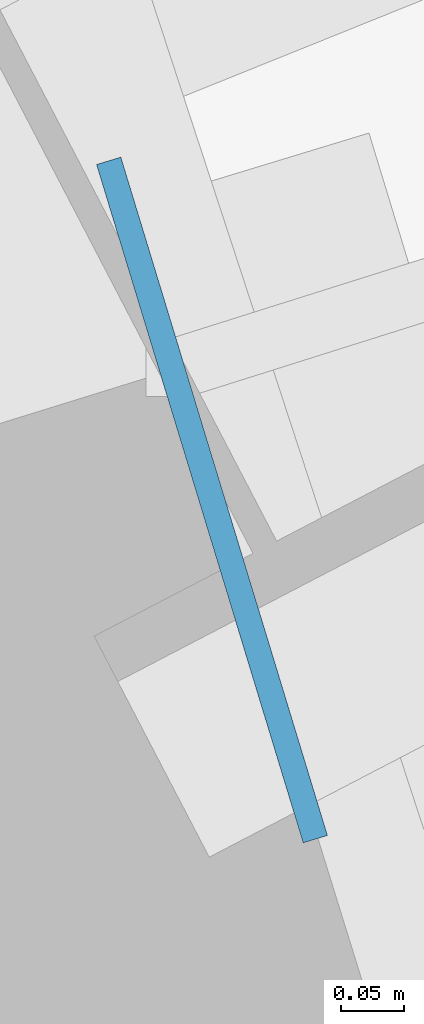
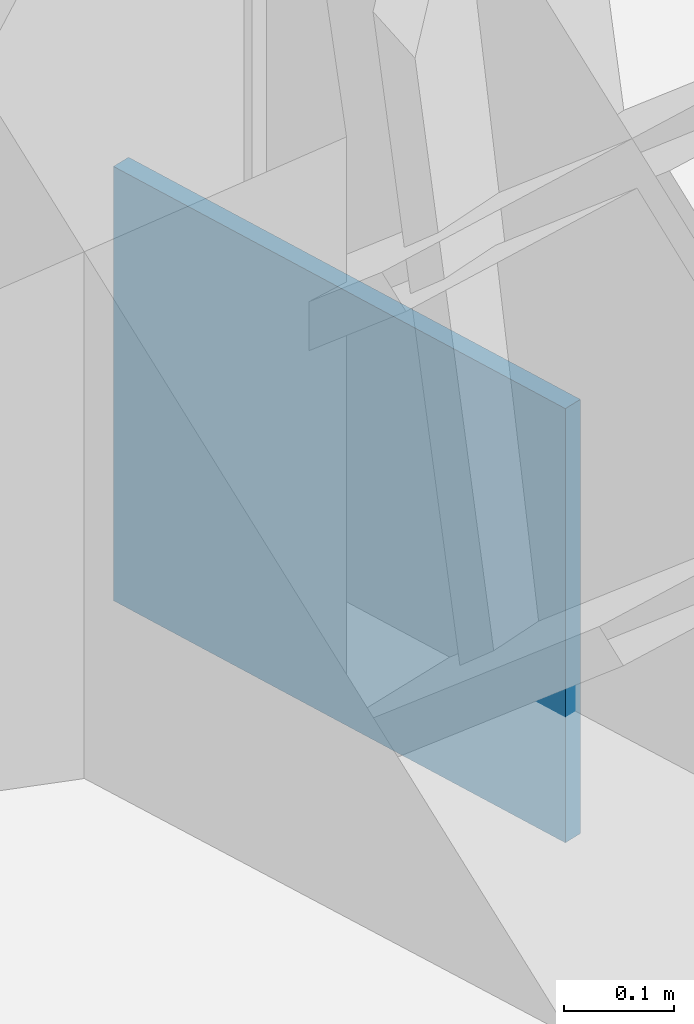
# One storey, part 13 of 21: 1 plate.
"""IFC4 building model written with IfcOpenShell, lengths in metres."""

import ifcopenshell
import ifcopenshell.guid

model = None  # the IFC model being written
_history = None  # IfcOwnerHistory: only IFC2X3 demands one
_inside = {}  # id of a spatial element -> (the spatial element, [elements in it])
_under = {}  # id of a project, library or spatial element -> (it, [spatial elements below it])
_declared = {}  # id of a project -> (the project, [libraries it declares])
_typed = {}  # id of a type object -> (the type object, [elements of that type])
_made_of = {}  # id of a material, layer set ... -> (it, [elements and type objects made of it])


def new_model(schema):
    """Start an empty IFC model of exactly this schema.

    Asked for "IFC4X3", IfcOpenShell would pick the latest addendum, in which some entities
    have other attributes; the version numbers below select the first issue.
    IFC2X3 requires an IfcOwnerHistory on every rooted entity: one is made here for all.
    """
    global model, _history
    if schema == "IFC4X3":
        model = ifcopenshell.file(schema_version=(4, 3, 0, 0))
    else:
        model = ifcopenshell.file(schema=schema)
    _inside.clear()
    _under.clear()
    _declared.clear()
    _typed.clear()
    _made_of.clear()
    _history = None
    if model.schema == "IFC2X3":
        org = make("IfcOrganization", Name="unknown")
        user = make(
            "IfcPersonAndOrganization",
            ThePerson=make("IfcPerson", FamilyName="unknown"),
            TheOrganization=org,
        )
        app = make(
            "IfcApplication",
            ApplicationDeveloper=org,
            Version="unknown",
            ApplicationFullName="unknown",
            ApplicationIdentifier="unknown",
        )
        _history = make(
            "IfcOwnerHistory",
            OwningUser=user,
            OwningApplication=app,
            ChangeAction="ADDED",
            CreationDate=0,
        )
    return model


def make(cls, **values):
    """One entity of the class cls with the attributes given. An attribute that is None is left unset."""
    return model.create_entity(
        cls, **{name: value for name, value in values.items() if value is not None}
    )


def rooted(cls, **values):
    """An entity with a GlobalId (a new one), such as an element, a storey or a relation."""
    return make(cls, GlobalId=ifcopenshell.guid.new(), OwnerHistory=_history, **values)


def si_unit(unit_type, name, prefix=None):
    """IfcSIUnit, for example si_unit("LENGTHUNIT", "METRE", prefix="MILLI")."""
    return make("IfcSIUnit", UnitType=unit_type, Prefix=prefix, Name=name)


def assignment(units):
    """IfcUnitAssignment: the units of a project."""
    return None if units is None else make("IfcUnitAssignment", Units=units)


def point(xyz):
    """IfcCartesianPoint."""
    return None if xyz is None else make("IfcCartesianPoint", Coordinates=xyz)


def direction(xyz):
    """IfcDirection."""
    return None if xyz is None else make("IfcDirection", DirectionRatios=xyz)


def frame(location, z_axis=None, x_axis=None):
    """IfcAxis2Placement3D, a coordinate frame: its origin and axes. An axis left out is left unset."""
    return make(
        "IfcAxis2Placement3D",
        Location=point(location),
        Axis=direction(z_axis),
        RefDirection=direction(x_axis),
    )


def frame_2d(location, x_axis=None):
    """IfcAxis2Placement2D, a coordinate frame in the plane: its origin and x axis."""
    return make(
        "IfcAxis2Placement2D", Location=point(location), RefDirection=direction(x_axis)
    )


def origin():
    """The frame at (0, 0, 0) with its axes left unset."""
    return frame((0.0, 0.0, 0.0))


def origin_2d():
    """The frame at (0, 0) in the plane with its x axis left unset."""
    return frame_2d((0.0, 0.0))


def place(relative_to, where):
    """IfcLocalPlacement: puts the frame where relative to a parent placement (None: the world)."""
    return make(
        "IfcLocalPlacement", PlacementRelTo=relative_to, RelativePlacement=where
    )


def context(
    kind, dimensions, precision=None, world=None, true_north=None, identifier=None
):
    """IfcGeometricRepresentationContext, for example the 3D "Model" context."""
    return make(
        "IfcGeometricRepresentationContext",
        ContextIdentifier=identifier,
        ContextType=kind,
        CoordinateSpaceDimension=dimensions,
        Precision=precision,
        WorldCoordinateSystem=world,
        TrueNorth=true_north,
    )


def subcontext(parent, identifier, kind, view, scale=None):
    """IfcGeometricRepresentationSubContext, for example "Body" below "Model"."""
    return make(
        "IfcGeometricRepresentationSubContext",
        ContextIdentifier=identifier,
        ContextType=kind,
        ParentContext=parent,
        TargetScale=scale,
        TargetView=view,
    )


def project(units=None, contexts=None):
    """IfcProject with its units and contexts."""
    return rooted(
        "IfcProject",
        Name="project",
        RepresentationContexts=contexts,
        UnitsInContext=assignment(units),
    )


def spatial(cls, under=None, at=None, **own):
    """A site, building, storey or space (cls), placed at a placement, below another one or the project."""
    s = rooted(cls, ObjectPlacement=at, **own)
    if under is not None:
        _under.setdefault(under.id(), (under, []))[1].append(s)
    return s


def profile(cls, at=None, kind="AREA", **sizes):
    """A parametric profile (cls). Its sizes go by their IFC names, for example OverallWidth=200.0."""
    return make(cls, ProfileType=kind, Position=at, **sizes)


def rectangle(**sizes):
    """IfcRectangleProfileDef."""
    return profile("IfcRectangleProfileDef", **sizes)


def extrude(swept, where, along, depth):
    """IfcExtrudedAreaSolid: the profile swept, set in the frame where, extruded along a direction by depth."""
    return make(
        "IfcExtrudedAreaSolid",
        SweptArea=swept,
        Position=where,
        ExtrudedDirection=direction(along),
        Depth=depth,
    )


def shape(context_of_items, identifier, shape_type, items):
    """IfcShapeRepresentation: the items that make up one representation, for example the "Body"."""
    return make(
        "IfcShapeRepresentation",
        ContextOfItems=context_of_items,
        RepresentationIdentifier=identifier,
        RepresentationType=shape_type,
        Items=items,
    )


def source(mapping_origin, context_of_items, identifier, shape_type, items):
    """IfcRepresentationMap: a shape defined once, which mapped items show again and again."""
    return make(
        "IfcRepresentationMap",
        MappingOrigin=mapping_origin,
        MappedRepresentation=shape(context_of_items, identifier, shape_type, items),
    )


def transform(
    local_origin,
    x_axis=None,
    y_axis=None,
    z_axis=None,
    scale=None,
    scale2=None,
    scale3=None,
    uniform=True,
):
    """IfcCartesianTransformationOperator3D, or its non-uniform kind. x_axis, y_axis, z_axis: its Axis1, 2, 3."""
    if uniform:
        return make(
            "IfcCartesianTransformationOperator3D",
            Axis1=direction(x_axis),
            Axis2=direction(y_axis),
            LocalOrigin=point(local_origin),
            Scale=scale,
            Axis3=direction(z_axis),
        )
    return make(
        "IfcCartesianTransformationOperator3DnonUniform",
        Axis1=direction(x_axis),
        Axis2=direction(y_axis),
        LocalOrigin=point(local_origin),
        Scale=scale,
        Axis3=direction(z_axis),
        Scale2=scale2,
        Scale3=scale3,
    )


def mapped(mapping_source, mapping_target):
    """IfcMappedItem: shows the shape of a source again, moved by a transform."""
    return make(
        "IfcMappedItem", MappingSource=mapping_source, MappingTarget=mapping_target
    )


def material(Name=None, Category=None):
    """IfcMaterial."""
    return make("IfcMaterial", Name=Name, Category=Category)


def made_of(thing, what):
    """Note that an element or type object is made of a material, layer set ...; save() writes the relation."""
    if what is not None:
        _made_of.setdefault(what.id(), (what, []))[1].append(thing)
    return thing


def type_object(cls, material=None, **own):
    """A type object (cls), such as IfcWallType, which elements share."""
    return made_of(rooted(cls, **own), material)


def element(
    cls,
    number,
    at=None,
    inside=None,
    cuts=None,
    type_object=None,
    material=None,
    context=None,
    identifier="Body",
    shape_type=None,
    held_by="IfcProductDefinitionShape",
    body=None,
    shapes=None,
    **own,
):
    """One element of the class cls, such as IfcWall. Its Tag is "e" and its number.

    at: its placement. inside: the storey or other place that contains it. cuts: it is an
    opening in that element (IfcRelVoidsElement). A single representation is given by context,
    identifier, shape_type and body (its items); several are given by shapes. held_by: the class
    of the entity that holds the representations. save() writes the other relations.
    """
    e = rooted(cls, Tag="e%d" % number, ObjectPlacement=at, **own)
    if body is not None:
        shapes = [shape(context, identifier, shape_type, body)]
    if shapes is not None:
        e.Representation = make(held_by, Representations=shapes)
    if inside is not None:
        _inside.setdefault(inside.id(), (inside, []))[1].append(e)
    if cuts is not None:
        rooted(
            "IfcRelVoidsElement", RelatingBuildingElement=cuts, RelatedOpeningElement=e
        )
    if type_object is not None:
        _typed.setdefault(type_object.id(), (type_object, []))[1].append(e)
    return made_of(e, material)


def aggregate(whole, parts):
    """IfcRelAggregates: a whole, such as a stair, and the parts it consists of."""
    return rooted("IfcRelAggregates", RelatingObject=whole, RelatedObjects=parts)


def save(model, path):
    """Write the relations noted so far, then the file.

    IfcRelAggregates (storeys below a building ...), IfcRelContainedInSpatialStructure (elements
    in a storey), IfcRelDefinesByType, IfcRelAssociatesMaterial and IfcRelDeclares: one each for
    every whole, place, type object, material and project.
    """
    for whole, parts in _under.values():
        aggregate(whole, parts)
    for where, things in _inside.values():
        rooted(
            "IfcRelContainedInSpatialStructure",
            RelatedElements=things,
            RelatingStructure=where,
        )
    for kind, things in _typed.values():
        rooted("IfcRelDefinesByType", RelatedObjects=things, RelatingType=kind)
    for what, things in _made_of.values():
        rooted("IfcRelAssociatesMaterial", RelatedObjects=things, RelatingMaterial=what)
    for by, libraries in _declared.values():
        rooted("IfcRelDeclares", RelatingContext=by, RelatedDefinitions=libraries)
    model.write(path)


model = new_model("IFC4")

# Units and contexts
model_context = context("Model", 3, precision=1e-05, world=origin(), true_north=direction((0.0, 1.0)))
body_context = subcontext(model_context, "Body", "Model", "MODEL_VIEW")
ifc_project = project(units=[si_unit("LENGTHUNIT", "METRE"), si_unit("AREAUNIT", "SQUARE_METRE"), si_unit("VOLUMEUNIT", "CUBIC_METRE"), si_unit("PLANEANGLEUNIT", "RADIAN"), si_unit("MASSUNIT", "GRAM", prefix="KILO")], contexts=[model_context])

# Site, building, storey
site_placement = place(None, origin())
site = spatial("IfcSite", under=ifc_project, at=site_placement, CompositionType="ELEMENT")
building_placement = place(site_placement, origin())
building = spatial("IfcBuilding", under=site, at=building_placement, Name="Olszyna Solenne Hotel", CompositionType="ELEMENT")
storey_placement = place(building_placement, frame((0.0, 0.0, 105.699951171875)))
storey = spatial("IfcBuildingStorey", under=building, at=storey_placement, Name="L27", CompositionType="ELEMENT", Elevation=105.699951171875)

# Plate
ifc_material = material(Name="Steel S355J2", Category="steel")
plate_type = type_object("IfcPlateType", Name="GP-ND2", PredefinedType="USERDEFINED", material=ifc_material)
shared_shape = source(origin(), body_context, "Body", "SweptSolid", [
    extrude(rectangle(XDim=0.56005859375, YDim=0.02001953125, at=origin_2d()), origin(), (0.0, 0.0, 1.0), 0.47998046875),
])
plate_placement = place(storey_placement, frame((66.0947265625, 37.48681640625, -0.139892578125), z_axis=(0.0, 0.0, 1.0), x_axis=(0.291370104596, -0.956610402488, 0.0)))
element("IfcPlate", 1, at=plate_placement, inside=storey, type_object=plate_type, Name="Brace end connection gusset plate GP-ND2 EP-BR-L27-1-1", ObjectType="GUSSET_PLATE", PredefinedType="USERDEFINED", context=body_context, shape_type="MappedRepresentation", body=[
    mapped(shared_shape, transform((0.0, 0.0, 0.0), x_axis=(1.0, 0.0, 0.0), y_axis=(0.0, 1.0, 0.0), z_axis=(0.0, 0.0, 1.0), scale=1.0)),
])

save(model, "model.ifc")
